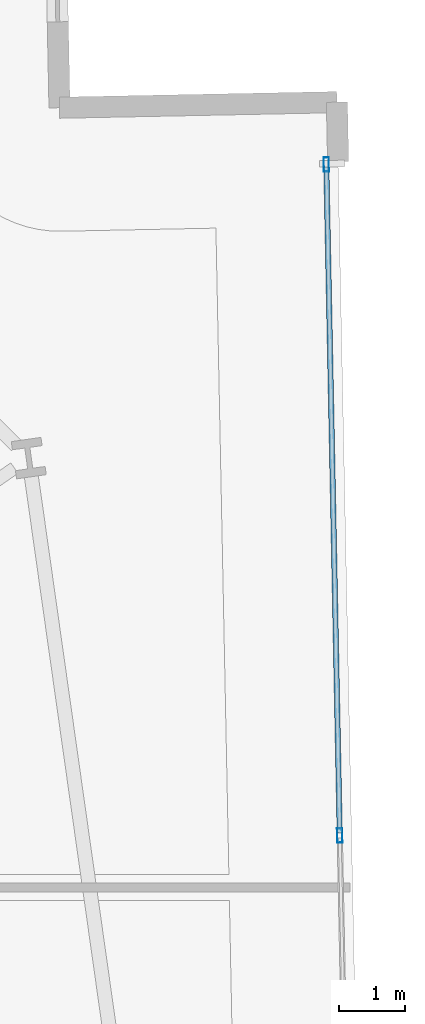
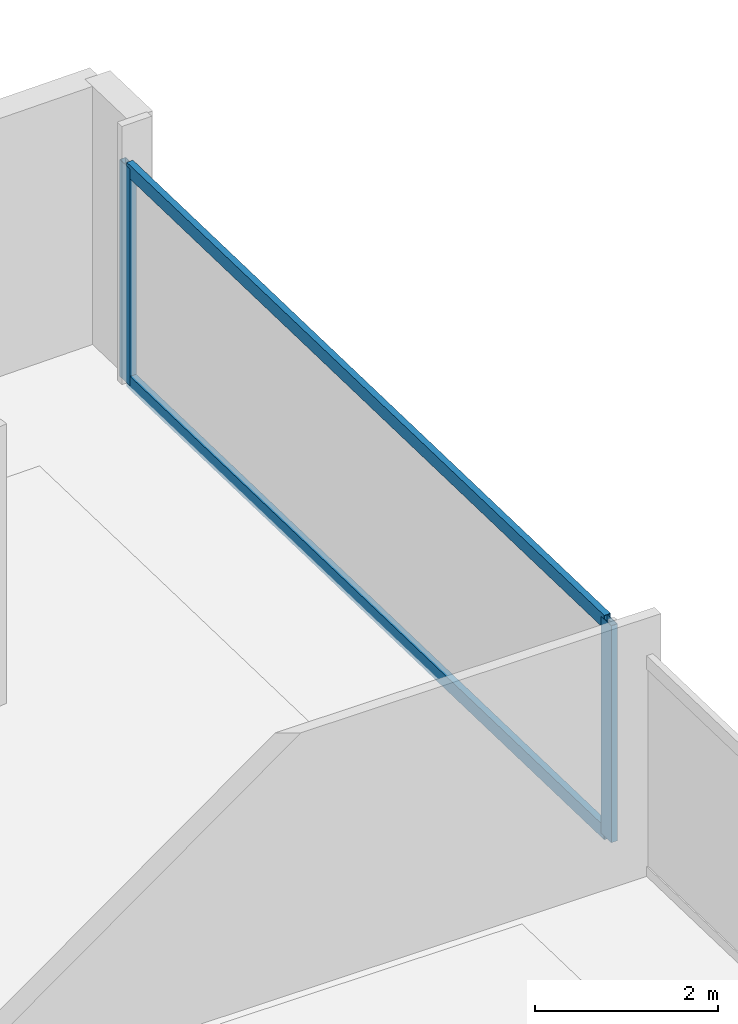
# One storey, part 23 of 35: 4 members, 1 element without a shape of its own.
"""IFC4 building model written with IfcOpenShell, lengths in metres."""

from ifc_helpers import new_model, si_unit, direction, frame, origin, origin_2d, place, context, subcontext, project, spatial, hollow_rectangle, extrude, material, material_profile, profile_set, type_object, element, aggregate, save


model = new_model("IFC4")

# Units and contexts
model_context = context("Model", 3, precision=1e-05, world=origin(), true_north=direction((0.0, 1.0)))
body_context = subcontext(model_context, "Body", "Model", "MODEL_VIEW")
ifc_project = project(units=[si_unit("LENGTHUNIT", "METRE"), si_unit("AREAUNIT", "SQUARE_METRE"), si_unit("VOLUMEUNIT", "CUBIC_METRE"), si_unit("PLANEANGLEUNIT", "RADIAN"), si_unit("MASSUNIT", "GRAM", prefix="KILO")], contexts=[model_context])

# Site, building, storey
site_placement = place(None, origin())
site = spatial("IfcSite", under=ifc_project, at=site_placement, CompositionType="ELEMENT")
building_placement = place(site_placement, origin())
building = spatial("IfcBuilding", under=site, at=building_placement, Name="Haldenkirk Collegiate Tower", CompositionType="ELEMENT")
storey_placement = place(building_placement, frame((0.0, 0.0, 32.699951171875)))
storey = spatial("IfcBuildingStorey", under=building, at=storey_placement, Name="L06", CompositionType="ELEMENT", Elevation=32.699951171875)

# Curtain wall, members
ifc_material = material(Name="Anodised architectural bronze aluminium", Category="aluminium")
curtain_wall_type = type_object("IfcCurtainWallType", Name="CW-SYS1-CONVEX-LOW", PredefinedType="USERDEFINED", material=ifc_material)
curtain_wall_placement = place(storey_placement, origin())
curtain_wall = element("IfcCurtainWall", 1, at=curtain_wall_placement, inside=storey, type_object=curtain_wall_type, Name="L06 Lower tower convex bronze-framed unitised curtain wall", ObjectType="UNITISED CURTAIN WALL", PredefinedType="USERDEFINED")
ifc_material_profile_1 = material_profile(ifc_material, hollow_rectangle(XDim=0.080078125, YDim=0.219970703125, WallThickness=0.0048828125, at=origin_2d()), Name="CW-MUL-1A")
ifc_profile_set_1 = profile_set([ifc_material_profile_1], Name="Anodised architectural bronze aluminium")
member_type_1 = type_object("IfcMemberType", Name="CW-MUL-1A", PredefinedType="MULLION", material=ifc_profile_set_1)
member_1_placement = place(storey_placement, frame((62.39599609375, 47.39404296875, 0.0), z_axis=(0.0, 0.0, 1.0), x_axis=(0.999798604983, 0.020068619127, 0.0)))
member_1 = element("IfcMember", 2, at=member_1_placement, type_object=member_type_1, Name="CW-1A mullion 1", PredefinedType="MULLION", context=body_context, shape_type="SweptSolid", body=[
    extrude(hollow_rectangle(XDim=0.080078125, YDim=0.219970703125, WallThickness=0.0048828125, at=origin_2d()), origin(), (0.0, 0.0, 1.0), 2.89111328125),
])
member_2_placement = place(storey_placement, frame((62.599853515625, 37.236083984375, 0.0), z_axis=(0.0, 0.0, 1.0), x_axis=(0.999798604983, 0.020068619127, 0.0)))
member_2 = element("IfcMember", 3, at=member_2_placement, type_object=member_type_1, Name="CW-1A mullion 2", PredefinedType="MULLION", context=body_context, shape_type="SweptSolid", body=[
    extrude(hollow_rectangle(XDim=0.080078125, YDim=0.219970703125, WallThickness=0.0048828125, at=origin_2d()), origin(), (0.0, 0.0, 1.0), 2.89111328125),
])
ifc_material_profile_2 = material_profile(ifc_material, hollow_rectangle(XDim=0.080078125, YDim=0.179931640625, WallThickness=0.0048828125, at=origin_2d()), Name="CW-TRN-1A")
ifc_profile_set_2 = profile_set([ifc_material_profile_2], Name="Anodised architectural bronze aluminium")
member_type_2 = type_object("IfcMemberType", Name="CW-TRN-1A", PredefinedType="USERDEFINED", material=ifc_profile_set_2)
member_3_placement = place(storey_placement, frame((62.396728515625, 47.35400390625, 0.0400390625), z_axis=(0.02005459139, -0.999798886459, 0.0), x_axis=(0.999798886459, 0.02005459139, 0.0)))
member_3 = element("IfcMember", 4, at=member_3_placement, type_object=member_type_2, Name="CW-1A transom 1.1", ObjectType="TRANSOM", PredefinedType="USERDEFINED", context=body_context, shape_type="SweptSolid", body=[
    extrude(hollow_rectangle(XDim=0.080078125, YDim=0.179931640625, WallThickness=0.0048828125, at=origin_2d()), origin(), (0.0, 0.0, 1.0), 10.079833984375),
])
member_4_placement = place(storey_placement, frame((62.396728515625, 47.35400390625, 2.85107421875), z_axis=(0.02005459139, -0.999798886459, 0.0), x_axis=(0.999798886459, 0.02005459139, 0.0)))
member_4 = element("IfcMember", 5, at=member_4_placement, type_object=member_type_2, Name="CW-1A transom 1.2", ObjectType="TRANSOM", PredefinedType="USERDEFINED", context=body_context, shape_type="SweptSolid", body=[
    extrude(hollow_rectangle(XDim=0.080078125, YDim=0.179931640625, WallThickness=0.0048828125, at=origin_2d()), origin(), (0.0, 0.0, 1.0), 10.079833984375),
])
aggregate(curtain_wall, [member_1, member_2, member_3, member_4])

save(model, "model.ifc")
